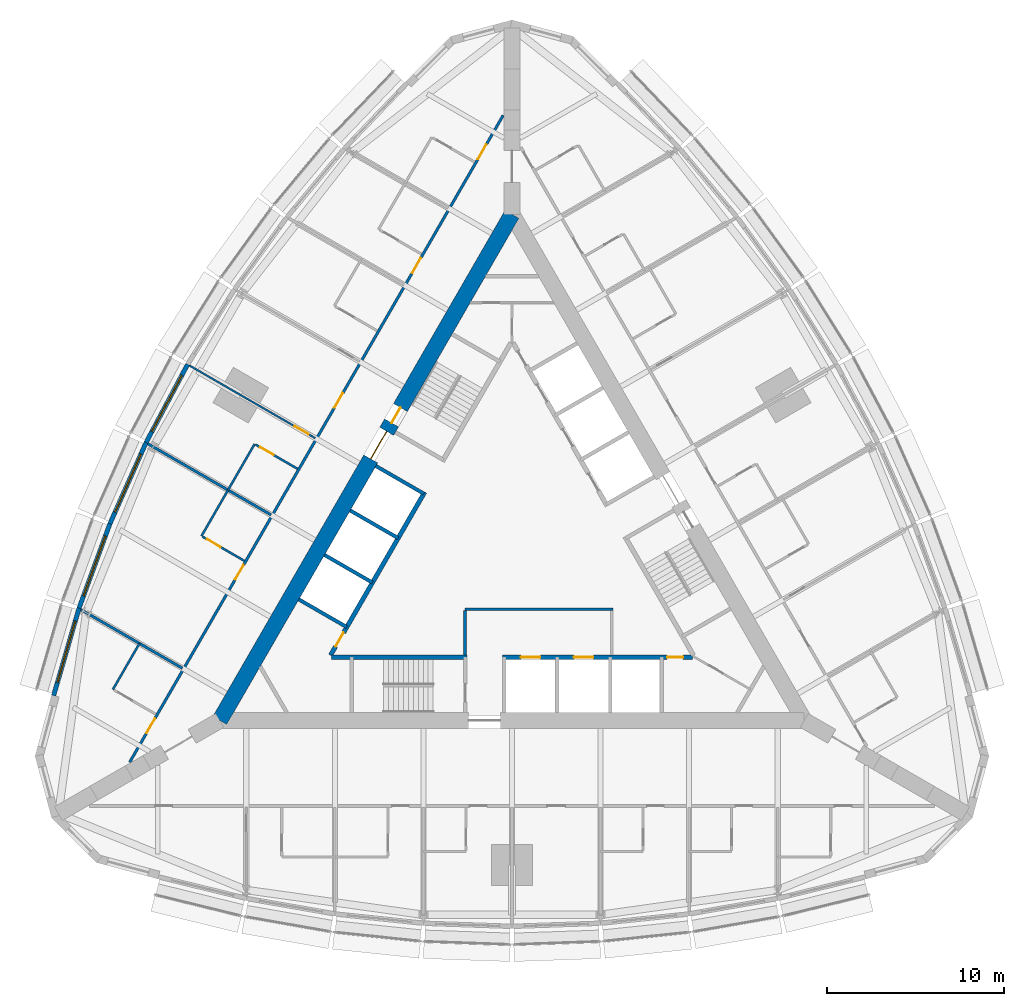
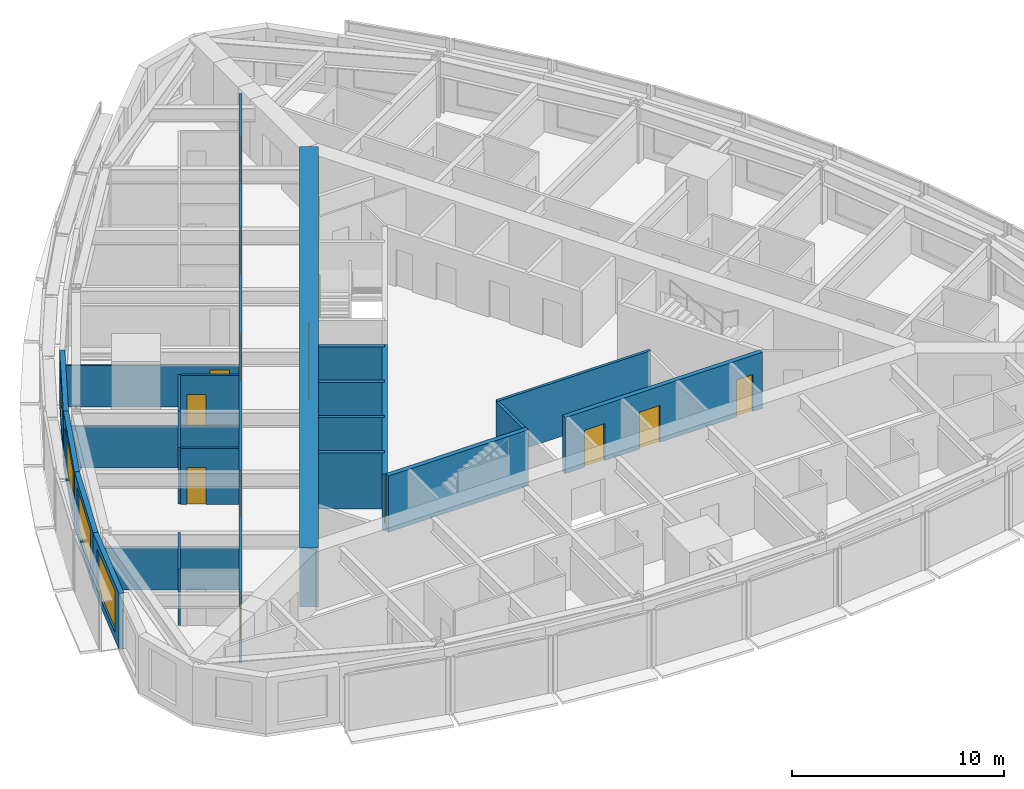
# One storey, part 9 of 14: 23 walls, 14 doors, 4 windows, 18 openings.
"""IFC4 building model written with IfcOpenShell, lengths in metres."""

import ifcopenshell
import ifcopenshell.guid

model = None  # the IFC model being written
_history = None  # IfcOwnerHistory: only IFC2X3 demands one
_inside = {}  # id of a spatial element -> (the spatial element, [elements in it])
_under = {}  # id of a project, library or spatial element -> (it, [spatial elements below it])
_declared = {}  # id of a project -> (the project, [libraries it declares])
_typed = {}  # id of a type object -> (the type object, [elements of that type])
_made_of = {}  # id of a material, layer set ... -> (it, [elements and type objects made of it])


def new_model(schema):
    """Start an empty IFC model of exactly this schema.

    Asked for "IFC4X3", IfcOpenShell would pick the latest addendum, in which some entities
    have other attributes; the version numbers below select the first issue.
    IFC2X3 requires an IfcOwnerHistory on every rooted entity: one is made here for all.
    """
    global model, _history
    if schema == "IFC4X3":
        model = ifcopenshell.file(schema_version=(4, 3, 0, 0))
    else:
        model = ifcopenshell.file(schema=schema)
    _inside.clear()
    _under.clear()
    _declared.clear()
    _typed.clear()
    _made_of.clear()
    _history = None
    if model.schema == "IFC2X3":
        org = make("IfcOrganization", Name="unknown")
        user = make(
            "IfcPersonAndOrganization",
            ThePerson=make("IfcPerson", FamilyName="unknown"),
            TheOrganization=org,
        )
        app = make(
            "IfcApplication",
            ApplicationDeveloper=org,
            Version="unknown",
            ApplicationFullName="unknown",
            ApplicationIdentifier="unknown",
        )
        _history = make(
            "IfcOwnerHistory",
            OwningUser=user,
            OwningApplication=app,
            ChangeAction="ADDED",
            CreationDate=0,
        )
    return model


def make(cls, **values):
    """One entity of the class cls with the attributes given. An attribute that is None is left unset."""
    return model.create_entity(
        cls, **{name: value for name, value in values.items() if value is not None}
    )


def rooted(cls, **values):
    """An entity with a GlobalId (a new one), such as an element, a storey or a relation."""
    return make(cls, GlobalId=ifcopenshell.guid.new(), OwnerHistory=_history, **values)


def si_unit(unit_type, name, prefix=None):
    """IfcSIUnit, for example si_unit("LENGTHUNIT", "METRE", prefix="MILLI")."""
    return make("IfcSIUnit", UnitType=unit_type, Prefix=prefix, Name=name)


def assignment(units):
    """IfcUnitAssignment: the units of a project."""
    return None if units is None else make("IfcUnitAssignment", Units=units)


def point(xyz):
    """IfcCartesianPoint."""
    return None if xyz is None else make("IfcCartesianPoint", Coordinates=xyz)


def direction(xyz):
    """IfcDirection."""
    return None if xyz is None else make("IfcDirection", DirectionRatios=xyz)


def frame(location, z_axis=None, x_axis=None):
    """IfcAxis2Placement3D, a coordinate frame: its origin and axes. An axis left out is left unset."""
    return make(
        "IfcAxis2Placement3D",
        Location=point(location),
        Axis=direction(z_axis),
        RefDirection=direction(x_axis),
    )


def frame_2d(location, x_axis=None):
    """IfcAxis2Placement2D, a coordinate frame in the plane: its origin and x axis."""
    return make(
        "IfcAxis2Placement2D", Location=point(location), RefDirection=direction(x_axis)
    )


def origin():
    """The frame at (0, 0, 0) with its axes left unset."""
    return frame((0.0, 0.0, 0.0))


def place(relative_to, where):
    """IfcLocalPlacement: puts the frame where relative to a parent placement (None: the world)."""
    return make(
        "IfcLocalPlacement", PlacementRelTo=relative_to, RelativePlacement=where
    )


def context(
    kind, dimensions, precision=None, world=None, true_north=None, identifier=None
):
    """IfcGeometricRepresentationContext, for example the 3D "Model" context."""
    return make(
        "IfcGeometricRepresentationContext",
        ContextIdentifier=identifier,
        ContextType=kind,
        CoordinateSpaceDimension=dimensions,
        Precision=precision,
        WorldCoordinateSystem=world,
        TrueNorth=true_north,
    )


def subcontext(parent, identifier, kind, view, scale=None):
    """IfcGeometricRepresentationSubContext, for example "Body" below "Model"."""
    return make(
        "IfcGeometricRepresentationSubContext",
        ContextIdentifier=identifier,
        ContextType=kind,
        ParentContext=parent,
        TargetScale=scale,
        TargetView=view,
    )


def project(units=None, contexts=None):
    """IfcProject with its units and contexts."""
    return rooted(
        "IfcProject",
        Name="project",
        RepresentationContexts=contexts,
        UnitsInContext=assignment(units),
    )


def spatial(cls, under=None, at=None, **own):
    """A site, building, storey or space (cls), placed at a placement, below another one or the project."""
    s = rooted(cls, ObjectPlacement=at, **own)
    if under is not None:
        _under.setdefault(under.id(), (under, []))[1].append(s)
    return s


def profile(cls, at=None, kind="AREA", **sizes):
    """A parametric profile (cls). Its sizes go by their IFC names, for example OverallWidth=200.0."""
    return make(cls, ProfileType=kind, Position=at, **sizes)


def rectangle(**sizes):
    """IfcRectangleProfileDef."""
    return profile("IfcRectangleProfileDef", **sizes)


def extrude(swept, where, along, depth):
    """IfcExtrudedAreaSolid: the profile swept, set in the frame where, extruded along a direction by depth."""
    return make(
        "IfcExtrudedAreaSolid",
        SweptArea=swept,
        Position=where,
        ExtrudedDirection=direction(along),
        Depth=depth,
    )


def shape(context_of_items, identifier, shape_type, items):
    """IfcShapeRepresentation: the items that make up one representation, for example the "Body"."""
    return make(
        "IfcShapeRepresentation",
        ContextOfItems=context_of_items,
        RepresentationIdentifier=identifier,
        RepresentationType=shape_type,
        Items=items,
    )


def material(Name=None, Category=None):
    """IfcMaterial."""
    return make("IfcMaterial", Name=Name, Category=Category)


def layer(
    of_material, thickness, ventilated=None, Name=None, Category=None, Priority=None
):
    """IfcMaterialLayer: one layer of a wall or slab, of a material (None: an air gap)."""
    return make(
        "IfcMaterialLayer",
        Material=of_material,
        LayerThickness=thickness,
        IsVentilated=ventilated,
        Name=Name,
        Category=Category,
        Priority=Priority,
    )


def layer_set(layers, Name=None):
    """IfcMaterialLayerSet."""
    return make("IfcMaterialLayerSet", MaterialLayers=layers, LayerSetName=Name)


def made_of(thing, what):
    """Note that an element or type object is made of a material, layer set ...; save() writes the relation."""
    if what is not None:
        _made_of.setdefault(what.id(), (what, []))[1].append(thing)
    return thing


def type_object(cls, material=None, **own):
    """A type object (cls), such as IfcWallType, which elements share."""
    return made_of(rooted(cls, **own), material)


def element(
    cls,
    number,
    at=None,
    inside=None,
    cuts=None,
    type_object=None,
    material=None,
    context=None,
    identifier="Body",
    shape_type=None,
    held_by="IfcProductDefinitionShape",
    body=None,
    shapes=None,
    **own,
):
    """One element of the class cls, such as IfcWall. Its Tag is "e" and its number.

    at: its placement. inside: the storey or other place that contains it. cuts: it is an
    opening in that element (IfcRelVoidsElement). A single representation is given by context,
    identifier, shape_type and body (its items); several are given by shapes. held_by: the class
    of the entity that holds the representations. save() writes the other relations.
    """
    e = rooted(cls, Tag="e%d" % number, ObjectPlacement=at, **own)
    if body is not None:
        shapes = [shape(context, identifier, shape_type, body)]
    if shapes is not None:
        e.Representation = make(held_by, Representations=shapes)
    if inside is not None:
        _inside.setdefault(inside.id(), (inside, []))[1].append(e)
    if cuts is not None:
        rooted(
            "IfcRelVoidsElement", RelatingBuildingElement=cuts, RelatedOpeningElement=e
        )
    if type_object is not None:
        _typed.setdefault(type_object.id(), (type_object, []))[1].append(e)
    return made_of(e, material)


def fill(opening, filler):
    """IfcRelFillsElement: the door or window that sits in an opening."""
    return rooted(
        "IfcRelFillsElement",
        RelatingOpeningElement=opening,
        RelatedBuildingElement=filler,
    )


def aggregate(whole, parts):
    """IfcRelAggregates: a whole, such as a stair, and the parts it consists of."""
    return rooted("IfcRelAggregates", RelatingObject=whole, RelatedObjects=parts)


def save(model, path):
    """Write the relations noted so far, then the file.

    IfcRelAggregates (storeys below a building ...), IfcRelContainedInSpatialStructure (elements
    in a storey), IfcRelDefinesByType, IfcRelAssociatesMaterial and IfcRelDeclares: one each for
    every whole, place, type object, material and project.
    """
    for whole, parts in _under.values():
        aggregate(whole, parts)
    for where, things in _inside.values():
        rooted(
            "IfcRelContainedInSpatialStructure",
            RelatedElements=things,
            RelatingStructure=where,
        )
    for kind, things in _typed.values():
        rooted("IfcRelDefinesByType", RelatedObjects=things, RelatingType=kind)
    for what, things in _made_of.values():
        rooted("IfcRelAssociatesMaterial", RelatedObjects=things, RelatingMaterial=what)
    for by, libraries in _declared.values():
        rooted("IfcRelDeclares", RelatingContext=by, RelatedDefinitions=libraries)
    model.write(path)


model = new_model("IFC4")

# Units and contexts
model_context = context("Model", 3, precision=1e-05, world=origin(), true_north=direction((0.0, 1.0)))
body_context = subcontext(model_context, "Body", "Model", "MODEL_VIEW")
ifc_project = project(units=[si_unit("LENGTHUNIT", "METRE"), si_unit("AREAUNIT", "SQUARE_METRE"), si_unit("VOLUMEUNIT", "CUBIC_METRE"), si_unit("PLANEANGLEUNIT", "RADIAN"), si_unit("MASSUNIT", "GRAM", prefix="KILO")], contexts=[model_context])

# Site, building, storey
site_placement = place(None, origin())
site = spatial("IfcSite", under=ifc_project, at=site_placement, CompositionType="ELEMENT")
building_placement = place(site_placement, origin())
building = spatial("IfcBuilding", under=site, at=building_placement, Name="Trikona Tower", CompositionType="ELEMENT")
storey_placement = place(building_placement, frame((0.0, 0.0, 145.300048828125)))
storey = spatial("IfcBuildingStorey", under=building, at=storey_placement, Name="L38", CompositionType="ELEMENT", Elevation=145.300048828125)

# Wall
ifc_material_1 = material(Name="Metal stud and cement board", Category="gypsum")
ifc_layer_1 = layer(ifc_material_1, 0.1201171875)
ifc_layer_set_1 = layer_set([ifc_layer_1], Name="Bathroom wall 120")
wall_type_1 = type_object("IfcWallType", Name="Bathroom wall 120", PredefinedType="PLUMBINGWALL", material=ifc_layer_set_1)
wall_1_placement = place(storey_placement, frame((-14.53271484375, 6.0810546875, 0.0), z_axis=(0.0, 0.0, 1.0), x_axis=(-0.499990139034, -0.866031096941, 0.0)))
element("IfcWall", 1, at=wall_1_placement, inside=storey, type_object=wall_type_1, Name="Bathroom wall 3815.2", PredefinedType="PLUMBINGWALL", context=body_context, shape_type="SweptSolid", body=[
    extrude(rectangle(XDim=3.0, YDim=0.1201171875, at=frame_2d((1.5, 0.0))), origin(), (0.0, 0.0, 1.0), 3.23486328125),
])

# Wall, opening, door
wall_2_placement = place(storey_placement, frame((-12.10791015625, 4.68115234375, 0.0), z_axis=(0.0, 0.0, 1.0), x_axis=(-0.866035715982, 0.499982138324, 0.0)))
wall_2 = element("IfcWall", 2, at=wall_2_placement, inside=storey, type_object=wall_type_1, Name="Bathroom wall 3815.2", PredefinedType="PLUMBINGWALL", context=body_context, shape_type="SweptSolid", body=[
    extrude(rectangle(XDim=2.73974609375, YDim=0.1201171875, at=frame_2d((1.369873046875, 0.0))), origin(), (0.0, 0.0, 1.0), 3.23486328125),
])
opening_1_placement = place(wall_2_placement, frame((1.550048828125, 0.0, 0.0)))
opening_1 = element("IfcOpeningElement", 3, at=opening_1_placement, cuts=wall_2, Name="Opening D2", PredefinedType="OPENING", context=body_context, shape_type="SweptSolid", body=[
    extrude(rectangle(XDim=0.89990234375, YDim=2.1298828125, at=frame_2d((0.449951171875, 1.06494140625))), frame((0.0, 0.070068359375, 0.0), z_axis=(0.0, -1.0, 0.0), x_axis=(1.0, 0.0, 0.0)), (0.0, 0.0, 1.0), 0.14013671875),
])
ifc_material_2 = material(Name="Steel door frame with solid-core timber leaf", Category="steel")
door_type_1 = type_object("IfcDoorType", Name="Bathroom door 900x2130", OperationType="SLIDING_TO_LEFT", PredefinedType="DOOR", material=ifc_material_2)
door_1_placement = place(opening_1_placement, origin())
door_1 = element("IfcDoor", 4, at=door_1_placement, inside=storey, type_object=door_type_1, Name="Bathroom door 3815.2", OperationType="SLIDING_TO_LEFT", OverallHeight=2.1298828125, OverallWidth=0.89990234375, PredefinedType="DOOR", context=body_context, shape_type="SweptSolid", body=[
    extrude(rectangle(XDim=0.89990234375, YDim=2.1298828125, at=frame_2d((0.449951171875, 1.06494140625))), frame((0.0, 0.02490234375, 0.0), z_axis=(0.0, -1.0, 0.0), x_axis=(1.0, 0.0, 0.0)), (0.0, 0.0, 1.0), 0.050048828125),
])
fill(opening_1, door_1)

# Wall
wall_3_placement = place(storey_placement, frame((-16.03271484375, 3.48291015625, 0.0), z_axis=(0.0, 0.0, 1.0), x_axis=(-0.50002537861, -0.866010750942, 0.0)))
element("IfcWall", 5, at=wall_3_placement, inside=storey, type_object=wall_type_1, Name="Bathroom wall 3816", PredefinedType="PLUMBINGWALL", context=body_context, shape_type="SweptSolid", body=[
    extrude(rectangle(XDim=2.999755859375, YDim=0.1201171875, at=frame_2d((1.5, 0.0))), origin(), (0.0, 0.0, 1.0), 3.23486328125),
])

# Wall, opening, door
wall_4_placement = place(storey_placement, frame((-15.10791015625, -0.51513671875, 0.0), z_axis=(0.0, 0.0, 1.0), x_axis=(-0.865997131366, 0.500048966069, 0.0)))
wall_4 = element("IfcWall", 6, at=wall_4_placement, inside=storey, type_object=wall_type_1, Name="Bathroom wall 3816", PredefinedType="PLUMBINGWALL", context=body_context, shape_type="SweptSolid", body=[
    extrude(rectangle(XDim=2.739990234375, YDim=0.1201171875, at=frame_2d((1.3701171875, 0.0))), origin(), (0.0, 0.0, 1.0), 3.23486328125),
])
opening_2_placement = place(wall_4_placement, frame((1.550048828125, 0.0, 0.0)))
opening_2 = element("IfcOpeningElement", 7, at=opening_2_placement, cuts=wall_4, Name="Opening D2", PredefinedType="OPENING", context=body_context, shape_type="SweptSolid", body=[
    extrude(rectangle(XDim=0.89990234375, YDim=2.1298828125, at=frame_2d((0.449951171875, 1.06494140625))), frame((0.0, 0.070068359375, 0.0), z_axis=(0.0, -1.0, 0.0), x_axis=(1.0, 0.0, 0.0)), (0.0, 0.0, 1.0), 0.14013671875),
])
door_2_placement = place(opening_2_placement, origin())
door_2 = element("IfcDoor", 8, at=door_2_placement, inside=storey, type_object=door_type_1, Name="Bathroom door 3816", OperationType="SLIDING_TO_LEFT", OverallHeight=2.1298828125, OverallWidth=0.89990234375, PredefinedType="DOOR", context=body_context, shape_type="SweptSolid", body=[
    extrude(rectangle(XDim=0.89990234375, YDim=2.1298828125, at=frame_2d((0.449951171875, 1.06494140625))), frame((0.0, 0.02490234375, 0.0), z_axis=(0.0, -1.0, 0.0), x_axis=(1.0, 0.0, 0.0)), (0.0, 0.0, 1.0), 0.050048828125),
])
fill(opening_2, door_2)

# Wall
wall_5_placement = place(storey_placement, frame((-21.03271484375, -5.17724609375, 0.0), z_axis=(0.0, 0.0, 1.0), x_axis=(-0.499990139034, -0.866031096941, 0.0)))
element("IfcWall", 9, at=wall_5_placement, inside=storey, type_object=wall_type_1, Name="Bathroom wall 3817", PredefinedType="PLUMBINGWALL", context=body_context, shape_type="SweptSolid", body=[
    extrude(rectangle(XDim=3.0, YDim=0.1201171875, at=frame_2d((1.5, 0.0))), origin(), (0.0, 0.0, 1.0), 3.23486328125),
])

# Wall, openings, doors
ifc_material_3 = material(Name="Concrete f'c 10000 psi", Category="concrete")
ifc_layer_2 = layer(ifc_material_3, 0.89990234375)
ifc_layer_set_2 = layer_set([ifc_layer_2], Name="Core wall 900")
wall_type_2 = type_object("IfcWallType", Name="Core wall 900", PredefinedType="SHEAR", material=ifc_layer_set_2)
wall_6_placement = place(storey_placement, frame((0.0, 19.052490234375, 0.0), z_axis=(0.0, 0.0, 1.0), x_axis=(-0.499999749417, -0.866025548458, 0.0)))
wall_6 = element("IfcWall", 10, at=wall_6_placement, inside=storey, type_object=wall_type_2, Name="Core wall C", PredefinedType="SHEAR", context=body_context, shape_type="SweptSolid", body=[
    extrude(rectangle(XDim=33.0, YDim=0.89990234375, at=frame_2d((16.5, 0.0))), origin(), (0.0, 0.0, 1.0), 3.39990234375),
])
opening_3_placement = place(wall_6_placement, frame((14.14990234375, 0.0, 0.0)))
opening_3 = element("IfcOpeningElement", 11, at=opening_3_placement, cuts=wall_6, Name="Opening D6", PredefinedType="OPENING", context=body_context, shape_type="SweptSolid", body=[
    extrude(rectangle(XDim=1.800048828125, YDim=2.1298828125, at=frame_2d((0.89990234375, 1.06494140625))), frame((0.0, 0.4599609375, 0.0), z_axis=(0.0, -1.0, 0.0), x_axis=(1.0, 0.0, 0.0)), (0.0, 0.0, 1.0), 0.919921875),
])
opening_4_placement = place(wall_6_placement, frame((12.60009765625, 0.0, 0.0)))
opening_4 = element("IfcOpeningElement", 12, at=opening_4_placement, cuts=wall_6, Name="Opening D5", PredefinedType="OPENING", context=body_context, shape_type="SweptSolid", body=[
    extrude(rectangle(XDim=1.0, YDim=2.1298828125, at=frame_2d((0.5, 1.06494140625))), frame((0.0, 0.4599609375, 0.0), z_axis=(0.0, -1.0, 0.0), x_axis=(1.0, 0.0, 0.0)), (0.0, 0.0, 1.0), 0.919921875),
])
ifc_material_4 = material(Name="Hollow metal door and frame", Category="steel")
door_type_2 = type_object("IfcDoorType", Name="Lobby door pair 1800x2130", OperationType="DOUBLE_DOOR_SINGLE_SWING", PredefinedType="DOOR", material=ifc_material_4)
door_3_placement = place(opening_3_placement, origin())
door_3 = element("IfcDoor", 13, at=door_3_placement, inside=storey, type_object=door_type_2, Name="Lift lobby door C", OperationType="DOUBLE_DOOR_SINGLE_SWING", OverallHeight=2.1298828125, OverallWidth=1.800048828125, PredefinedType="DOOR", context=body_context, shape_type="SweptSolid", body=[
    extrude(rectangle(XDim=1.800048828125, YDim=2.1298828125, at=frame_2d((0.89990234375, 1.06494140625))), frame((0.0, 0.02490234375, 0.0), z_axis=(0.0, -1.0, 0.0), x_axis=(1.0, 0.0, 0.0)), (0.0, 0.0, 1.0), 0.050048828125),
])
fill(opening_3, door_3)
ifc_material_5 = material(Name="Hollow metal door and frame", Category="steel")
door_type_3 = type_object("IfcDoorType", Name="Stair door 1000x2130", OperationType="SINGLE_SWING_LEFT", PredefinedType="DOOR", material=ifc_material_5)
door_4_placement = place(opening_4_placement, origin())
door_4 = element("IfcDoor", 14, at=door_4_placement, inside=storey, type_object=door_type_3, Name="Stair C door", OperationType="SINGLE_SWING_RIGHT", OverallHeight=2.1298828125, OverallWidth=1.0, PredefinedType="DOOR", context=body_context, shape_type="SweptSolid", body=[
    extrude(rectangle(XDim=1.0, YDim=2.1298828125, at=frame_2d((0.5, 1.06494140625))), frame((0.0, 0.02490234375, 0.0), z_axis=(0.0, -1.0, 0.0), x_axis=(1.0, 0.0, 0.0)), (0.0, 0.0, 1.0), 0.050048828125),
])
fill(opening_4, door_4)

ifc_material_6 = material(Name="Metal stud and gypsum board, 1-hour", Category="gypsum")
ifc_layer_3 = layer(ifc_material_6, 0.14990234375)
ifc_layer_set_3 = layer_set([ifc_layer_3], Name="Corridor wall 150")
wall_type_3 = type_object("IfcWallType", Name="Corridor wall 150", PredefinedType="PARTITIONING", material=ifc_layer_set_3)
wall_7_placement = place(storey_placement, frame((-0.5, 24.636474609375, 0.0), z_axis=(0.0, 0.0, 1.0), x_axis=(-0.500001915564, -0.86602429783, 0.0)))
wall_7 = element("IfcWall", 15, at=wall_7_placement, inside=storey, type_object=wall_type_3, Name="Corridor wall L38-3", PredefinedType="PARTITIONING", context=body_context, shape_type="SweptSolid", body=[
    extrude(rectangle(XDim=42.171630859375, YDim=0.14990234375, at=frame_2d((21.0859375, 0.0))), origin(), (0.0, 0.0, 1.0), 3.23486328125),
])
opening_5_placement = place(wall_7_placement, frame((1.910888671875, 0.0, 0.0)))
opening_5 = element("IfcOpeningElement", 16, at=opening_5_placement, cuts=wall_7, Name="Opening D1", PredefinedType="OPENING", context=body_context, shape_type="SweptSolid", body=[
    extrude(rectangle(XDim=0.949951171875, YDim=2.1298828125, at=frame_2d((0.47509765625, 1.06494140625))), frame((0.0, 0.0849609375, 0.0), z_axis=(0.0, -1.0, 0.0), x_axis=(1.0, 0.0, 0.0)), (0.0, 0.0, 1.0), 0.169921875),
])
opening_6_placement = place(wall_7_placement, frame((9.310791015625, 0.0, 0.0)))
opening_6 = element("IfcOpeningElement", 17, at=opening_6_placement, cuts=wall_7, Name="Opening D1", PredefinedType="OPENING", context=body_context, shape_type="SweptSolid", body=[
    extrude(rectangle(XDim=0.949951171875, YDim=2.1298828125, at=frame_2d((0.47509765625, 1.06494140625))), frame((0.0, 0.0849609375, 0.0), z_axis=(0.0, -1.0, 0.0), x_axis=(1.0, 0.0, 0.0)), (0.0, 0.0, 1.0), 0.169921875),
])
opening_7_placement = place(wall_7_placement, frame((18.11083984375, 0.0, 0.0)))
opening_7 = element("IfcOpeningElement", 18, at=opening_7_placement, cuts=wall_7, Name="Opening D1", PredefinedType="OPENING", context=body_context, shape_type="SweptSolid", body=[
    extrude(rectangle(XDim=0.949951171875, YDim=2.1298828125, at=frame_2d((0.47509765625, 1.06494140625))), frame((0.0, 0.0849609375, 0.0), z_axis=(0.0, -1.0, 0.0), x_axis=(1.0, 0.0, 0.0)), (0.0, 0.0, 1.0), 0.169921875),
])
opening_8_placement = place(wall_7_placement, frame((29.310791015625, 0.0, 0.0)))
opening_8 = element("IfcOpeningElement", 19, at=opening_8_placement, cuts=wall_7, Name="Opening D1", PredefinedType="OPENING", context=body_context, shape_type="SweptSolid", body=[
    extrude(rectangle(XDim=0.949951171875, YDim=2.1298828125, at=frame_2d((0.47509765625, 1.06494140625))), frame((0.0, 0.0849609375, 0.0), z_axis=(0.0, -1.0, 0.0), x_axis=(1.0, 0.0, 0.0)), (0.0, 0.0, 1.0), 0.169921875),
])
opening_9_placement = place(wall_7_placement, frame((39.310791015625, 0.0, 0.0)))
opening_9 = element("IfcOpeningElement", 20, at=opening_9_placement, cuts=wall_7, Name="Opening D1", PredefinedType="OPENING", context=body_context, shape_type="SweptSolid", body=[
    extrude(rectangle(XDim=0.949951171875, YDim=2.1298828125, at=frame_2d((0.47509765625, 1.06494140625))), frame((0.0, 0.0849609375, 0.0), z_axis=(0.0, -1.0, 0.0), x_axis=(1.0, 0.0, 0.0)), (0.0, 0.0, 1.0), 0.169921875),
])
ifc_material_7 = material(Name="Steel door frame with solid-core timber leaf", Category="steel")
door_type_4 = type_object("IfcDoorType", Name="Guest room door 950x2130", OperationType="SINGLE_SWING_LEFT", PredefinedType="DOOR", material=ifc_material_7)
door_5_placement = place(opening_5_placement, origin())
door_5 = element("IfcDoor", 21, at=door_5_placement, inside=storey, type_object=door_type_4, Name="Room door 3813", OperationType="SINGLE_SWING_LEFT", OverallHeight=2.1298828125, OverallWidth=0.949951171875, PredefinedType="DOOR", context=body_context, shape_type="SweptSolid", body=[
    extrude(rectangle(XDim=0.949951171875, YDim=2.1298828125, at=frame_2d((0.47509765625, 1.06494140625))), frame((0.0, 0.02490234375, 0.0), z_axis=(0.0, -1.0, 0.0), x_axis=(1.0, 0.0, 0.0)), (0.0, 0.0, 1.0), 0.050048828125),
])
fill(opening_5, door_5)
door_6_placement = place(opening_6_placement, origin())
door_6 = element("IfcDoor", 22, at=door_6_placement, inside=storey, type_object=door_type_4, Name="Room door 3814", OperationType="SINGLE_SWING_RIGHT", OverallHeight=2.1298828125, OverallWidth=0.949951171875, PredefinedType="DOOR", context=body_context, shape_type="SweptSolid", body=[
    extrude(rectangle(XDim=0.949951171875, YDim=2.1298828125, at=frame_2d((0.47509765625, 1.06494140625))), frame((0.0, 0.02490234375, 0.0), z_axis=(0.0, -1.0, 0.0), x_axis=(1.0, 0.0, 0.0)), (0.0, 0.0, 1.0), 0.050048828125),
])
fill(opening_6, door_6)
door_7_placement = place(opening_7_placement, origin())
door_7 = element("IfcDoor", 23, at=door_7_placement, inside=storey, type_object=door_type_4, Name="Room door 3815", OperationType="SINGLE_SWING_LEFT", OverallHeight=2.1298828125, OverallWidth=0.949951171875, PredefinedType="DOOR", context=body_context, shape_type="SweptSolid", body=[
    extrude(rectangle(XDim=0.949951171875, YDim=2.1298828125, at=frame_2d((0.47509765625, 1.06494140625))), frame((0.0, 0.02490234375, 0.0), z_axis=(0.0, -1.0, 0.0), x_axis=(1.0, 0.0, 0.0)), (0.0, 0.0, 1.0), 0.050048828125),
])
fill(opening_7, door_7)
door_8_placement = place(opening_8_placement, origin())
door_8 = element("IfcDoor", 24, at=door_8_placement, inside=storey, type_object=door_type_4, Name="Room door 3816", OperationType="SINGLE_SWING_RIGHT", OverallHeight=2.1298828125, OverallWidth=0.949951171875, PredefinedType="DOOR", context=body_context, shape_type="SweptSolid", body=[
    extrude(rectangle(XDim=0.949951171875, YDim=2.1298828125, at=frame_2d((0.47509765625, 1.06494140625))), frame((0.0, 0.02490234375, 0.0), z_axis=(0.0, -1.0, 0.0), x_axis=(1.0, 0.0, 0.0)), (0.0, 0.0, 1.0), 0.050048828125),
])
fill(opening_8, door_8)
door_9_placement = place(opening_9_placement, origin())
door_9 = element("IfcDoor", 25, at=door_9_placement, inside=storey, type_object=door_type_4, Name="Room door 3817", OperationType="SINGLE_SWING_RIGHT", OverallHeight=2.1298828125, OverallWidth=0.949951171875, PredefinedType="DOOR", context=body_context, shape_type="SweptSolid", body=[
    extrude(rectangle(XDim=0.949951171875, YDim=2.1298828125, at=frame_2d((0.47509765625, 1.06494140625))), frame((0.0, 0.02490234375, 0.0), z_axis=(0.0, -1.0, 0.0), x_axis=(1.0, 0.0, 0.0)), (0.0, 0.0, 1.0), 0.050048828125),
])
fill(opening_9, door_9)

# Wall
ifc_material_8 = material(Name="Concrete f'c 8000 psi", Category="concrete")
ifc_layer_4 = layer(ifc_material_8, 0.25)
ifc_layer_set_4 = layer_set([ifc_layer_4], Name="Hub wall 250")
wall_type_4 = type_object("IfcWallType", Name="Hub wall 250", PredefinedType="SOLIDWALL", material=ifc_layer_set_4)
wall_8_placement = place(storey_placement, frame((-10.182861328125, -5.951416015625, 0.0), z_axis=(0.0, 0.0, 1.0), x_axis=(1.0, 0.0, 0.0)))
element("IfcWall", 26, at=wall_8_placement, inside=storey, type_object=wall_type_4, Name="Lift lobby wall A1", PredefinedType="SOLIDWALL", context=body_context, shape_type="SweptSolid", body=[
    extrude(rectangle(XDim=7.6328125, YDim=0.25, at=frame_2d((3.81640625, 0.0))), origin(), (0.0, 0.0, 1.0), 3.23486328125),
])

# Wall, openings, doors
wall_9_placement = place(storey_placement, frame((-0.550048828125, -5.951416015625, 0.0), z_axis=(0.0, 0.0, 1.0), x_axis=(1.0, 0.0, 0.0)))
wall_9 = element("IfcWall", 27, at=wall_9_placement, inside=storey, type_object=wall_type_4, Name="Lift lobby wall A2", PredefinedType="SOLIDWALL", context=body_context, shape_type="SweptSolid", body=[
    extrude(rectangle(XDim=10.73291015625, YDim=0.25, at=frame_2d((5.366455078125, 0.0))), origin(), (0.0, 0.0, 1.0), 3.23486328125),
])
opening_10_placement = place(wall_9_placement, frame((9.31396484375, 0.0, 0.0)))
opening_10 = element("IfcOpeningElement", 28, at=opening_10_placement, cuts=wall_9, Name="Opening D14", PredefinedType="OPENING", context=body_context, shape_type="SweptSolid", body=[
    extrude(rectangle(XDim=0.89990234375, YDim=2.1298828125, at=frame_2d((0.449951171875, 1.06494140625))), frame((0.0, 0.135009765625, 0.0), z_axis=(0.0, -1.0, 0.0), x_axis=(1.0, 0.0, 0.0)), (0.0, 0.0, 1.0), 0.27001953125),
])
opening_11_placement = place(wall_9_placement, frame((1.050048828125, 0.0, 0.0)))
opening_11 = element("IfcOpeningElement", 29, at=opening_11_placement, cuts=wall_9, Name="Opening LD", PredefinedType="OPENING", context=body_context, shape_type="SweptSolid", body=[
    extrude(rectangle(XDim=1.10009765625, YDim=2.1298828125, at=frame_2d((0.550048828125, 1.06494140625))), frame((0.0, 0.135009765625, 0.0), z_axis=(0.0, -1.0, 0.0), x_axis=(1.0, 0.0, 0.0)), (0.0, 0.0, 1.0), 0.27001953125),
])
opening_12_placement = place(wall_9_placement, frame((4.050048828125, 0.0, 0.0)))
opening_12 = element("IfcOpeningElement", 30, at=opening_12_placement, cuts=wall_9, Name="Opening LD", PredefinedType="OPENING", context=body_context, shape_type="SweptSolid", body=[
    extrude(rectangle(XDim=1.10009765625, YDim=2.1298828125, at=frame_2d((0.550048828125, 1.06494140625))), frame((0.0, 0.135009765625, 0.0), z_axis=(0.0, -1.0, 0.0), x_axis=(1.0, 0.0, 0.0)), (0.0, 0.0, 1.0), 0.27001953125),
])
ifc_material_9 = material(Name="Stainless steel lift landing door", Category="steel")
door_type_5 = type_object("IfcDoorType", Name="Lift landing door 1100x2130", OperationType="DOUBLE_DOOR_SLIDING", PredefinedType="USERDEFINED", material=ifc_material_9)
door_10_placement = place(opening_11_placement, origin())
door_10 = element("IfcDoor", 31, at=door_10_placement, inside=storey, type_object=door_type_5, Name="Lift landing door FF1", ObjectType="LIFT LANDING DOOR", OperationType="DOUBLE_DOOR_SLIDING", OverallHeight=2.1298828125, OverallWidth=1.10009765625, PredefinedType="USERDEFINED", context=body_context, shape_type="SweptSolid", body=[
    extrude(rectangle(XDim=1.10009765625, YDim=2.1298828125, at=frame_2d((0.550048828125, 1.06494140625))), frame((0.0, 0.02490234375, 0.0), z_axis=(0.0, -1.0, 0.0), x_axis=(1.0, 0.0, 0.0)), (0.0, 0.0, 1.0), 0.050048828125),
])
fill(opening_11, door_10)
door_11_placement = place(opening_12_placement, origin())
door_11 = element("IfcDoor", 32, at=door_11_placement, inside=storey, type_object=door_type_5, Name="Lift landing door FF2", ObjectType="LIFT LANDING DOOR", OperationType="DOUBLE_DOOR_SLIDING", OverallHeight=2.1298828125, OverallWidth=1.10009765625, PredefinedType="USERDEFINED", context=body_context, shape_type="SweptSolid", body=[
    extrude(rectangle(XDim=1.10009765625, YDim=2.1298828125, at=frame_2d((0.550048828125, 1.06494140625))), frame((0.0, 0.02490234375, 0.0), z_axis=(0.0, -1.0, 0.0), x_axis=(1.0, 0.0, 0.0)), (0.0, 0.0, 1.0), 0.050048828125),
])
fill(opening_12, door_11)
ifc_material_10 = material(Name="Hollow metal door and frame", Category="steel")
door_type_6 = type_object("IfcDoorType", Name="Service room door 900x2130", OperationType="SINGLE_SWING_LEFT", PredefinedType="DOOR", material=ifc_material_10)
door_12_placement = place(opening_10_placement, origin())
door_12 = element("IfcDoor", 33, at=door_12_placement, inside=storey, type_object=door_type_6, Name="Door Housekeeping store HKS", OperationType="SINGLE_SWING_RIGHT", OverallHeight=2.1298828125, OverallWidth=0.89990234375, PredefinedType="DOOR", context=body_context, shape_type="SweptSolid", body=[
    extrude(rectangle(XDim=0.89990234375, YDim=2.1298828125, at=frame_2d((0.449951171875, 1.06494140625))), frame((0.0, 0.02490234375, 0.0), z_axis=(0.0, -1.0, 0.0), x_axis=(1.0, 0.0, 0.0)), (0.0, 0.0, 1.0), 0.050048828125),
])
fill(opening_10, door_12)

# Wall, opening, door
wall_10_placement = place(storey_placement, frame((-4.928955078125, 3.365478515625, 0.0), z_axis=(0.0, 0.0, 1.0), x_axis=(-0.499991433582, -0.866030349552, 0.0)))
wall_10 = element("IfcWall", 34, at=wall_10_placement, inside=storey, type_object=wall_type_4, Name="Lift lobby wall C2", PredefinedType="SOLIDWALL", context=body_context, shape_type="SweptSolid", body=[
    extrude(rectangle(XDim=10.633056640625, YDim=0.25, at=frame_2d((5.31640625, 0.0))), origin(), (0.0, 0.0, 1.0), 3.23486328125),
])
opening_13_placement = place(wall_10_placement, frame((9.1640625, 0.0, 0.0)))
opening_13 = element("IfcOpeningElement", 35, at=opening_13_placement, cuts=wall_10, Name="Opening D14", PredefinedType="OPENING", context=body_context, shape_type="SweptSolid", body=[
    extrude(rectangle(XDim=0.89990234375, YDim=2.1298828125, at=frame_2d((0.449951171875, 1.06494140625))), frame((0.0, 0.135009765625, 0.0), z_axis=(0.0, -1.0, 0.0), x_axis=(1.0, 0.0, 0.0)), (0.0, 0.0, 1.0), 0.27001953125),
])
door_13_placement = place(opening_13_placement, origin())
door_13 = element("IfcDoor", 36, at=door_13_placement, inside=storey, type_object=door_type_6, Name="Door Ice and vending ICE", OperationType="SINGLE_SWING_RIGHT", OverallHeight=2.1298828125, OverallWidth=0.89990234375, PredefinedType="DOOR", context=body_context, shape_type="SweptSolid", body=[
    extrude(rectangle(XDim=0.89990234375, YDim=2.1298828125, at=frame_2d((0.449951171875, 1.06494140625))), frame((0.0, 0.02490234375, 0.0), z_axis=(0.0, -1.0, 0.0), x_axis=(1.0, 0.0, 0.0)), (0.0, 0.0, 1.0), 0.050048828125),
])
fill(opening_13, door_13)

# Wall, opening, window
ifc_material_11 = material(Name="Insulated precast concrete spandrel panel", Category="concrete")
ifc_layer_5 = layer(ifc_material_11, 0.25)
ifc_layer_set_5 = layer_set([ifc_layer_5], Name="Inner skin wall 250")
wall_type_5 = type_object("IfcWallType", Name="Inner skin wall 250", PredefinedType="STANDARD", material=ifc_layer_set_5)
wall_11_placement = place(storey_placement, frame((-18.314453125, 10.578857421875, 0.0), z_axis=(0.0, 0.0, 1.0), x_axis=(-0.469404966864, -0.882982999317, 0.0)))
wall_11 = element("IfcWall", 37, at=wall_11_placement, inside=storey, type_object=wall_type_5, Name="External wall L38-28", PredefinedType="STANDARD", context=body_context, shape_type="SweptSolid", body=[
    extrude(rectangle(XDim=5.0029296875, YDim=0.25, at=frame_2d((2.50146484375, 0.0))), origin(), (0.0, 0.0, 1.0), 3.23486328125),
])
opening_14_placement = place(wall_11_placement, frame((0.701416015625, 0.0, 0.449951171875)))
opening_14 = element("IfcOpeningElement", 38, at=opening_14_placement, cuts=wall_11, Name="Opening W3624", PredefinedType="OPENING", context=body_context, shape_type="SweptSolid", body=[
    extrude(rectangle(XDim=3.60009765625, YDim=2.39990234375, at=frame_2d((1.800048828125, 1.199951171875))), frame((0.0, 0.135009765625, 0.0), z_axis=(0.0, -1.0, 0.0), x_axis=(1.0, 0.0, 0.0)), (0.0, 0.0, 1.0), 0.27001953125),
])
ifc_material_12 = material(Name="Aluminium-framed double glazing", Category="aluminium")
window_type = type_object("IfcWindowType", Name="Window 3600x2400", PartitioningType="SINGLE_PANEL", PredefinedType="WINDOW", material=ifc_material_12)
window_1_placement = place(opening_14_placement, origin())
window_1 = element("IfcWindow", 39, at=window_1_placement, inside=storey, type_object=window_type, Name="Window 3815.2", OverallHeight=2.39990234375, OverallWidth=3.60009765625, PartitioningType="SINGLE_PANEL", PredefinedType="WINDOW", context=body_context, shape_type="SweptSolid", body=[
    extrude(rectangle(XDim=3.60009765625, YDim=2.39990234375, at=frame_2d((1.800048828125, 1.199951171875))), frame((0.0, 0.030029296875, 0.0), z_axis=(0.0, -1.0, 0.0), x_axis=(1.0, 0.0, 0.0)), (0.0, 0.0, 1.0), 0.06005859375),
])
fill(opening_14, window_1)

wall_12_placement = place(storey_placement, frame((-20.6591796875, 6.169189453125, 0.0), z_axis=(0.0, 0.0, 1.0), x_axis=(-0.406832200364, -0.913502906808, 0.0)))
wall_12 = element("IfcWall", 40, at=wall_12_placement, inside=storey, type_object=wall_type_5, Name="External wall L38-29", PredefinedType="STANDARD", context=body_context, shape_type="SweptSolid", body=[
    extrude(rectangle(XDim=5.027587890625, YDim=0.25, at=frame_2d((2.513671875, 0.0))), origin(), (0.0, 0.0, 1.0), 3.23486328125),
])
opening_15_placement = place(wall_12_placement, frame((0.713623046875, 0.0, 0.449951171875)))
opening_15 = element("IfcOpeningElement", 41, at=opening_15_placement, cuts=wall_12, Name="Opening W3624", PredefinedType="OPENING", context=body_context, shape_type="SweptSolid", body=[
    extrude(rectangle(XDim=3.60009765625, YDim=2.39990234375, at=frame_2d((1.800048828125, 1.199951171875))), frame((0.0, 0.135009765625, 0.0), z_axis=(0.0, -1.0, 0.0), x_axis=(1.0, 0.0, 0.0)), (0.0, 0.0, 1.0), 0.27001953125),
])
window_2_placement = place(opening_15_placement, origin())
window_2 = element("IfcWindow", 42, at=window_2_placement, inside=storey, type_object=window_type, Name="Window 3816", OverallHeight=2.39990234375, OverallWidth=3.60009765625, PartitioningType="SINGLE_PANEL", PredefinedType="WINDOW", context=body_context, shape_type="SweptSolid", body=[
    extrude(rectangle(XDim=3.60009765625, YDim=2.39990234375, at=frame_2d((1.800048828125, 1.199951171875))), frame((0.0, 0.030029296875, 0.0), z_axis=(0.0, -1.0, 0.0), x_axis=(1.0, 0.0, 0.0)), (0.0, 0.0, 1.0), 0.06005859375),
])
fill(opening_15, window_2)

wall_13_placement = place(storey_placement, frame((-22.701416015625, 1.58447265625, 0.0), z_axis=(0.0, 0.0, 1.0), x_axis=(-0.343225593282, -0.939252996863, 0.0)))
wall_13 = element("IfcWall", 43, at=wall_13_placement, inside=storey, type_object=wall_type_5, Name="External wall L38-30", PredefinedType="STANDARD", context=body_context, shape_type="SweptSolid", body=[
    extrude(rectangle(XDim=5.075927734375, YDim=0.25, at=frame_2d((2.5380859375, 0.0))), origin(), (0.0, 0.0, 1.0), 3.23486328125),
])
opening_16_placement = place(wall_13_placement, frame((0.738037109375, 0.0, 0.449951171875)))
opening_16 = element("IfcOpeningElement", 44, at=opening_16_placement, cuts=wall_13, Name="Opening W3624", PredefinedType="OPENING", context=body_context, shape_type="SweptSolid", body=[
    extrude(rectangle(XDim=3.60009765625, YDim=2.39990234375, at=frame_2d((1.800048828125, 1.199951171875))), frame((0.0, 0.135009765625, 0.0), z_axis=(0.0, -1.0, 0.0), x_axis=(1.0, 0.0, 0.0)), (0.0, 0.0, 1.0), 0.27001953125),
])
window_3_placement = place(opening_16_placement, origin())
window_3 = element("IfcWindow", 45, at=window_3_placement, inside=storey, type_object=window_type, Name="Window 3816", OverallHeight=2.39990234375, OverallWidth=3.60009765625, PartitioningType="SINGLE_PANEL", PredefinedType="WINDOW", context=body_context, shape_type="SweptSolid", body=[
    extrude(rectangle(XDim=3.60009765625, YDim=2.39990234375, at=frame_2d((1.800048828125, 1.199951171875))), frame((0.0, 0.030029296875, 0.0), z_axis=(0.0, -1.0, 0.0), x_axis=(1.0, 0.0, 0.0)), (0.0, 0.0, 1.0), 0.06005859375),
])
fill(opening_16, window_3)

wall_14_placement = place(storey_placement, frame((-24.44091796875, -3.17529296875, 0.0), z_axis=(0.0, 0.0, 1.0), x_axis=(-0.279528287117, -0.960137457191, 0.0)))
wall_14 = element("IfcWall", 46, at=wall_14_placement, inside=storey, type_object=wall_type_5, Name="External wall L38-31", PredefinedType="STANDARD", context=body_context, shape_type="SweptSolid", body=[
    extrude(rectangle(XDim=5.14794921875, YDim=0.25, at=frame_2d((2.573974609375, 0.0))), origin(), (0.0, 0.0, 1.0), 3.23486328125),
])
opening_17_placement = place(wall_14_placement, frame((0.77392578125, 0.0, 0.449951171875)))
opening_17 = element("IfcOpeningElement", 47, at=opening_17_placement, cuts=wall_14, Name="Opening W3624", PredefinedType="OPENING", context=body_context, shape_type="SweptSolid", body=[
    extrude(rectangle(XDim=3.60009765625, YDim=2.39990234375, at=frame_2d((1.800048828125, 1.199951171875))), frame((0.0, 0.135009765625, 0.0), z_axis=(0.0, -1.0, 0.0), x_axis=(1.0, 0.0, 0.0)), (0.0, 0.0, 1.0), 0.27001953125),
])
window_4_placement = place(opening_17_placement, origin())
window_4 = element("IfcWindow", 48, at=window_4_placement, inside=storey, type_object=window_type, Name="Window 3817", OverallHeight=2.39990234375, OverallWidth=3.60009765625, PartitioningType="SINGLE_PANEL", PredefinedType="WINDOW", context=body_context, shape_type="SweptSolid", body=[
    extrude(rectangle(XDim=3.60009765625, YDim=2.39990234375, at=frame_2d((1.800048828125, 1.199951171875))), frame((0.0, 0.030029296875, 0.0), z_axis=(0.0, -1.0, 0.0), x_axis=(1.0, 0.0, 0.0)), (0.0, 0.0, 1.0), 0.06005859375),
])
fill(opening_17, window_4)

# Walls
ifc_material_13 = material(Name="Metal stud and gypsum board, 2-hour shaft wall", Category="gypsum")
ifc_layer_6 = layer(ifc_material_13, 0.14990234375)
ifc_layer_set_6 = layer_set([ifc_layer_6], Name="Lobby wall 150")
wall_type_6 = type_object("IfcWallType", Name="Lobby wall 150", PredefinedType="PARTITIONING", material=ifc_layer_set_6)
wall_15_placement = place(storey_placement, frame((-2.64990234375, -3.251220703125, 0.0), z_axis=(0.0, 0.0, 1.0), x_axis=(1.0, 0.0, 0.0)))
element("IfcWall", 49, at=wall_15_placement, inside=storey, type_object=wall_type_6, Name="Fire service lift lobby wall 1", PredefinedType="PARTITIONING", context=body_context, shape_type="SweptSolid", body=[
    extrude(rectangle(XDim=8.349853515625, YDim=0.14990234375, at=frame_2d((4.1748046875, 0.0))), origin(), (0.0, 0.0, 1.0), 3.23486328125),
])
wall_16_placement = place(storey_placement, frame((-2.64990234375, -5.826416015625, 0.0), z_axis=(0.0, 0.0, 1.0), x_axis=(0.0, 1.0, 0.0)))
element("IfcWall", 50, at=wall_16_placement, inside=storey, type_object=wall_type_6, Name="Fire service lift lobby wall 2", PredefinedType="PARTITIONING", context=body_context, shape_type="SweptSolid", body=[
    extrude(rectangle(XDim=2.5, YDim=0.14990234375, at=frame_2d((1.25, 0.0))), origin(), (0.0, 0.0, 1.0), 3.23486328125),
])
ifc_material_14 = material(Name="Metal stud and gypsum board, 1-hour acoustic", Category="gypsum")
ifc_layer_7 = layer(ifc_material_14, 0.14990234375)
ifc_layer_set_7 = layer_set([ifc_layer_7], Name="Party wall 150")
wall_type_7 = type_object("IfcWallType", Name="Party wall 150", PredefinedType="PARTITIONING", material=ifc_layer_set_7)
wall_17_placement = place(storey_placement, frame((-13.60791015625, 2.0830078125, 0.0), z_axis=(0.0, 0.0, 1.0), x_axis=(-0.866028486751, 0.499994660107, 0.0)))
element("IfcWall", 51, at=wall_17_placement, inside=storey, type_object=wall_type_7, Name="Partition L38 F3 u5", PredefinedType="PARTITIONING", context=body_context, shape_type="SweptSolid", body=[
    extrude(rectangle(XDim=8.0224609375, YDim=0.14990234375, at=frame_2d((4.01123046875, 0.0))), origin(), (0.0, 0.0, 1.0), 2.38916015625),
])
wall_18_placement = place(storey_placement, frame((-18.60791015625, -6.5771484375, 0.0), z_axis=(0.0, 0.0, 1.0), x_axis=(-0.866031967744, 0.499988630717, 0.0)))
element("IfcWall", 52, at=wall_18_placement, inside=storey, type_object=wall_type_7, Name="Partition L38 F3 u15", PredefinedType="PARTITIONING", context=body_context, shape_type="SweptSolid", body=[
    extrude(rectangle(XDim=6.616455078125, YDim=0.14990234375, at=frame_2d((3.30810546875, 0.0))), origin(), (0.0, 0.0, 1.0), 2.38916015625),
])
ifc_material_15 = material(Name="Concrete f'c 8000 psi", Category="concrete")
ifc_layer_8 = layer(ifc_material_15, 0.199951171875)
ifc_layer_set_8 = layer_set([ifc_layer_8], Name="Shaft wall 200")
wall_type_8 = type_object("IfcWallType", Name="Shaft wall 200", PredefinedType="SOLIDWALL", material=ifc_layer_set_8)
for number, where, z_axis, x_axis, name in (
    (53, (-4.97900390625, 3.27880859375, 0.0), (0.0, 0.0, 1.0), (-0.866022959057, 0.500004234368, 0.0), "Shaft wall C3"),
    (54, (-6.428955078125, 0.767333984375, 0.0), (0.0, 0.0, 1.0), (-0.866022959057, 0.500004234368, 0.0), "Shaft wall C4"),
    (55, (-7.87890625, -1.744140625, 0.0), (0.0, 0.0, 1.0), (-0.866022959057, 0.500004234368, 0.0), "Shaft wall C5"),
    (56, (-9.3291015625, -4.255615234375, 0.0), (0.0, 0.0, 1.0), (-0.866022959057, 0.500004234368, 0.0), "Shaft wall C6"),
):
    element("IfcWall", number, at=place(storey_placement, frame(where, z_axis=z_axis, x_axis=x_axis)), inside=storey, type_object=wall_type_8, Name=name, PredefinedType="SOLIDWALL", context=body_context, shape_type="SweptSolid", body=[
        extrude(rectangle(XDim=3.125, YDim=0.199951171875, at=frame_2d((1.5625, 0.0))), origin(), (0.0, 0.0, 1.0), 3.23486328125),
    ])

# Wall, opening, door
ifc_material_16 = material(Name="Metal stud and gypsum board, acoustic", Category="gypsum")
ifc_layer_9 = layer(ifc_material_16, 0.10009765625)
ifc_layer_set_9 = layer_set([ifc_layer_9], Name="Suite partition 100")
wall_type_9 = type_object("IfcWallType", Name="Suite partition 100", PredefinedType="PARTITIONING", material=ifc_layer_set_9)
wall_19_placement = place(storey_placement, frame((-11.10791015625, 6.4130859375, 0.0), z_axis=(0.0, 0.0, 1.0), x_axis=(-0.866026407964, 0.499998260706, 0.0)))
wall_19 = element("IfcWall", 57, at=wall_19_placement, inside=storey, type_object=wall_type_9, Name="Suite partition L38 F3 u0", PredefinedType="PARTITIONING", context=body_context, shape_type="SweptSolid", body=[
    extrude(rectangle(XDim=8.19873046875, YDim=0.10009765625, at=frame_2d((4.099365234375, 0.0))), origin(), (0.0, 0.0, 1.0), 2.38916015625),
])
opening_18_placement = place(wall_19_placement, frame((0.449951171875, 0.0, 0.0)))
opening_18 = element("IfcOpeningElement", 58, at=opening_18_placement, cuts=wall_19, Name="Opening D13", PredefinedType="OPENING", context=body_context, shape_type="SweptSolid", body=[
    extrude(rectangle(XDim=0.89990234375, YDim=2.1298828125, at=frame_2d((0.449951171875, 1.06494140625))), frame((0.0, 0.06005859375, 0.0), z_axis=(0.0, -1.0, 0.0), x_axis=(1.0, 0.0, 0.0)), (0.0, 0.0, 1.0), 0.1201171875),
])
ifc_material_17 = material(Name="Steel door frame with solid-core timber leaf", Category="steel")
door_type_7 = type_object("IfcDoorType", Name="Suite door 900x2130", OperationType="SINGLE_SWING_LEFT", PredefinedType="DOOR", material=ifc_material_17)
door_14_placement = place(opening_18_placement, origin())
door_14 = element("IfcDoor", 59, at=door_14_placement, inside=storey, type_object=door_type_7, Name="Suite door 3815", OperationType="SINGLE_SWING_LEFT", OverallHeight=2.1298828125, OverallWidth=0.89990234375, PredefinedType="DOOR", context=body_context, shape_type="SweptSolid", body=[
    extrude(rectangle(XDim=0.89990234375, YDim=2.1298828125, at=frame_2d((0.449951171875, 1.06494140625))), frame((0.0, 0.02490234375, 0.0), z_axis=(0.0, -1.0, 0.0), x_axis=(1.0, 0.0, 0.0)), (0.0, 0.0, 1.0), 0.050048828125),
])
fill(opening_18, door_14)

save(model, "model.ifc")
